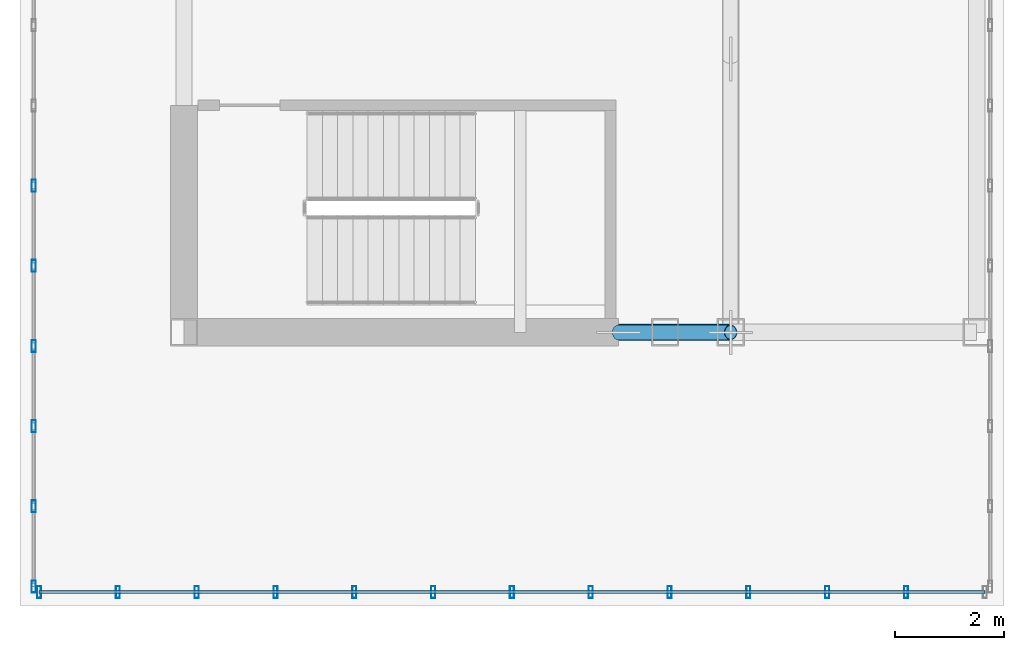
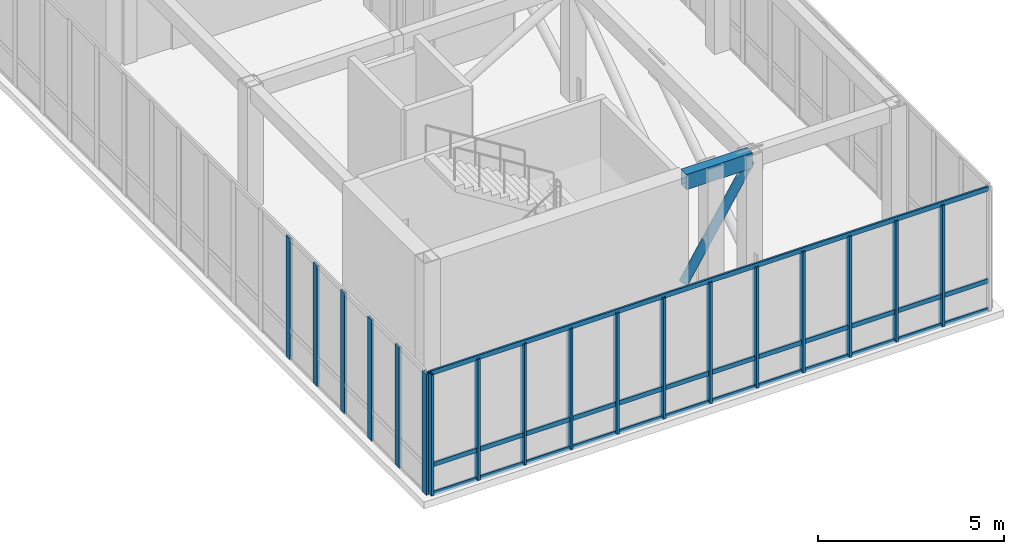
# One storey, part 2 of 13: 22 members, 1 beam, 2 elements without a shape of their own.
"""IFC4 building model written with IfcOpenShell, lengths in metres."""

from ifc_helpers import new_model, si_unit, direction, frame, origin, origin_2d, place, context, subcontext, project, spatial, hollow_rectangle, hollow_circle, extrude, source, transform, mapped, material, layer, layer_set, material_profile, profile_set, type_object, element, aggregate, save


model = new_model("IFC4")

# Units and contexts
model_context = context("Model", 3, precision=1e-05, world=origin(), true_north=direction((0.0, 1.0)))
body_context = subcontext(model_context, "Body", "Model", "MODEL_VIEW")
ifc_project = project(units=[si_unit("LENGTHUNIT", "METRE"), si_unit("AREAUNIT", "SQUARE_METRE"), si_unit("VOLUMEUNIT", "CUBIC_METRE"), si_unit("PLANEANGLEUNIT", "RADIAN"), si_unit("MASSUNIT", "GRAM", prefix="KILO")], contexts=[model_context])

# Site, building, storey
site_placement = place(None, origin())
site = spatial("IfcSite", under=ifc_project, at=site_placement, CompositionType="ELEMENT")
building_placement = place(site_placement, origin())
building = spatial("IfcBuilding", under=site, at=building_placement, Name="Kharzan Plaza Tower", CompositionType="ELEMENT")
storey_placement = place(building_placement, frame((0.0, 0.0, 277.199951171875)))
storey = spatial("IfcBuildingStorey", under=building, at=storey_placement, Name="L75-CROWN", CompositionType="ELEMENT", Elevation=277.199951171875)

# Beam
ifc_material_1 = material(Name="Steel S355", Category="steel")
ifc_material_profile_1 = material_profile(ifc_material_1, hollow_rectangle(XDim=0.300048828125, YDim=0.5, WallThickness=0.02001953125, at=origin_2d()), Name="RHS500x300x20")
ifc_profile_set_1 = profile_set([ifc_material_profile_1], Name="Steel S355")
beam_type = type_object("IfcBeamType", Name="BM-CRN500", PredefinedType="BEAM", material=ifc_profile_set_1)
shared_shape_1 = source(origin(), body_context, "Body", "SweptSolid", [
    extrude(hollow_rectangle(XDim=0.300048828125, YDim=0.5, WallThickness=0.02001953125, at=origin_2d()), origin(), (0.0, 0.0, 1.0), 2.050048828125),
])
beam_placement = place(storey_placement, frame((12.449951171875, 8.5, 3.719970703125), z_axis=(1.0, 0.0, 0.0), x_axis=(0.0, 1.0, 0.0)))
element("IfcBeam", 1, at=beam_placement, inside=storey, type_object=beam_type, Name="L75-CROWN CROWN FRAME Lantern Ring Beam CRB-S2", PredefinedType="BEAM", context=body_context, shape_type="MappedRepresentation", body=[
    mapped(shared_shape_1, transform((0.0, 0.0, 0.0), x_axis=(1.0, 0.0, 0.0), y_axis=(0.0, 1.0, 0.0), z_axis=(0.0, 0.0, 1.0))),
])

# Member
ifc_material_profile_2 = material_profile(ifc_material_1, hollow_circle(Radius=0.136474609375, WallThickness=0.010009765625, at=origin_2d()), Name="CHS273x10")
ifc_profile_set_2 = profile_set([ifc_material_profile_2], Name="Steel S355")
member_type_1 = type_object("IfcMemberType", Name="MEM-CRN-DIAG", PredefinedType="BRACE", material=ifc_profile_set_2)
shared_shape_2 = source(origin(), body_context, "Body", "SweptSolid", [
    extrude(hollow_circle(Radius=0.136474609375, WallThickness=0.010009765625, at=origin_2d()), origin(), (0.0, 0.0, 1.0), 3.859619140625),
])
member_1_placement = place(storey_placement, frame((12.449951171875, 8.5, 0.35009765625), z_axis=(0.531169756636, 0.0, 0.847265418647), x_axis=(0.0, 1.0, 0.0)))
element("IfcMember", 2, at=member_1_placement, inside=storey, type_object=member_type_1, Name="L75-CROWN CROWN FRAME Diagonal Wind Brace CRD-N2", PredefinedType="BRACE", context=body_context, shape_type="MappedRepresentation", body=[
    mapped(shared_shape_2, transform((0.0, 0.0, 0.0), x_axis=(1.0, 0.0, 0.0), y_axis=(0.0, 1.0, 0.0), z_axis=(0.0, 0.0, 1.0))),
])

# Curtain wall, members
ifc_material_2 = material(Name="Unitised Bronze-Anodized Aluminium and Low-E Glass", Category="aluminium")
ifc_layer = layer(ifc_material_2, 0.199951171875)
ifc_layer_set = layer_set([ifc_layer], Name="Unitised Bronze-Anodized Aluminium and Low-E Glass")
curtain_wall_type = type_object("IfcCurtainWallType", Name="CW-LANTERN-6", PredefinedType="NOTDEFINED", material=ifc_layer_set)
curtain_wall_1_placement = place(storey_placement, origin())
curtain_wall_1 = element("IfcCurtainWall", 3, at=curtain_wall_1_placement, inside=storey, type_object=curtain_wall_type, Name="L75-CROWN Lantern Crown Illuminated Curtain Wall 1", PredefinedType="NOTDEFINED")
ifc_material_3 = material(Name="Anodized Bronze Aluminium", Category="aluminium")
ifc_material_profile_3 = material_profile(ifc_material_3, hollow_rectangle(XDim=0.074951171875, YDim=0.219970703125, WallThickness=0.00390625, at=origin_2d()), Name="ALU-M220x75x4")
ifc_profile_set_3 = profile_set([ifc_material_profile_3], Name="Anodized Bronze Aluminium")
member_type_2 = type_object("IfcMemberType", Name="MEM-CW-MUL200", PredefinedType="MULLION", material=ifc_profile_set_3)
shared_shape_3 = source(origin(), body_context, "Body", "SweptSolid", [
    extrude(hollow_rectangle(XDim=0.074951171875, YDim=0.219970703125, WallThickness=0.00390625, at=origin_2d()), origin(), (0.0, 0.0, 1.0), 3.969970703125),
])
member_2_placement = place(storey_placement, frame((1.85009765625, 3.75, 0.0), z_axis=(0.0, 0.0, 1.0), x_axis=(1.0, 0.0, 0.0)))
member_2 = element("IfcMember", 4, at=member_2_placement, type_object=member_type_2, Name="L75-CROWN Curtain-Wall Mullion 00", PredefinedType="MULLION", context=body_context, shape_type="MappedRepresentation", body=[
    mapped(shared_shape_3, transform((0.0, 0.0, 0.0), x_axis=(1.0, 0.0, 0.0), y_axis=(0.0, 1.0, 0.0), z_axis=(0.0, 0.0, 1.0))),
])
member_3_placement = place(storey_placement, frame((3.291748046875, 3.75, 0.0), z_axis=(0.0, 0.0, 1.0), x_axis=(1.0, 0.0, 0.0)))
member_3 = element("IfcMember", 5, at=member_3_placement, type_object=member_type_2, Name="L75-CROWN Curtain-Wall Mullion 01", PredefinedType="MULLION", context=body_context, shape_type="MappedRepresentation", body=[
    mapped(shared_shape_3, transform((0.0, 0.0, 0.0), x_axis=(1.0, 0.0, 0.0), y_axis=(0.0, 1.0, 0.0), z_axis=(0.0, 0.0, 1.0))),
])
member_4_placement = place(storey_placement, frame((4.7333984375, 3.75, 0.0), z_axis=(0.0, 0.0, 1.0), x_axis=(1.0, 0.0, 0.0)))
member_4 = element("IfcMember", 6, at=member_4_placement, type_object=member_type_2, Name="L75-CROWN Curtain-Wall Mullion 02", PredefinedType="MULLION", context=body_context, shape_type="MappedRepresentation", body=[
    mapped(shared_shape_3, transform((0.0, 0.0, 0.0), x_axis=(1.0, 0.0, 0.0), y_axis=(0.0, 1.0, 0.0), z_axis=(0.0, 0.0, 1.0))),
])
member_5_placement = place(storey_placement, frame((6.175048828125, 3.75, 0.0), z_axis=(0.0, 0.0, 1.0), x_axis=(1.0, 0.0, 0.0)))
member_5 = element("IfcMember", 7, at=member_5_placement, type_object=member_type_2, Name="L75-CROWN Curtain-Wall Mullion 03", PredefinedType="MULLION", context=body_context, shape_type="MappedRepresentation", body=[
    mapped(shared_shape_3, transform((0.0, 0.0, 0.0), x_axis=(1.0, 0.0, 0.0), y_axis=(0.0, 1.0, 0.0), z_axis=(0.0, 0.0, 1.0))),
])
member_6_placement = place(storey_placement, frame((7.61669921875, 3.75, 0.0), z_axis=(0.0, 0.0, 1.0), x_axis=(1.0, 0.0, 0.0)))
member_6 = element("IfcMember", 8, at=member_6_placement, type_object=member_type_2, Name="L75-CROWN Curtain-Wall Mullion 04", PredefinedType="MULLION", context=body_context, shape_type="MappedRepresentation", body=[
    mapped(shared_shape_3, transform((0.0, 0.0, 0.0), x_axis=(1.0, 0.0, 0.0), y_axis=(0.0, 1.0, 0.0), z_axis=(0.0, 0.0, 1.0))),
])
member_7_placement = place(storey_placement, frame((9.058349609375, 3.75, 0.0), z_axis=(0.0, 0.0, 1.0), x_axis=(1.0, 0.0, 0.0)))
member_7 = element("IfcMember", 9, at=member_7_placement, type_object=member_type_2, Name="L75-CROWN Curtain-Wall Mullion 05", PredefinedType="MULLION", context=body_context, shape_type="MappedRepresentation", body=[
    mapped(shared_shape_3, transform((0.0, 0.0, 0.0), x_axis=(1.0, 0.0, 0.0), y_axis=(0.0, 1.0, 0.0), z_axis=(0.0, 0.0, 1.0))),
])
member_8_placement = place(storey_placement, frame((10.5, 3.75, 0.0), z_axis=(0.0, 0.0, 1.0), x_axis=(1.0, 0.0, 0.0)))
member_8 = element("IfcMember", 10, at=member_8_placement, type_object=member_type_2, Name="L75-CROWN Curtain-Wall Mullion 06", PredefinedType="MULLION", context=body_context, shape_type="MappedRepresentation", body=[
    mapped(shared_shape_3, transform((0.0, 0.0, 0.0), x_axis=(1.0, 0.0, 0.0), y_axis=(0.0, 1.0, 0.0), z_axis=(0.0, 0.0, 1.0))),
])
member_9_placement = place(storey_placement, frame((11.941650390625, 3.75, 0.0), z_axis=(0.0, 0.0, 1.0), x_axis=(1.0, 0.0, 0.0)))
member_9 = element("IfcMember", 11, at=member_9_placement, type_object=member_type_2, Name="L75-CROWN Curtain-Wall Mullion 07", PredefinedType="MULLION", context=body_context, shape_type="MappedRepresentation", body=[
    mapped(shared_shape_3, transform((0.0, 0.0, 0.0), x_axis=(1.0, 0.0, 0.0), y_axis=(0.0, 1.0, 0.0), z_axis=(0.0, 0.0, 1.0))),
])
member_10_placement = place(storey_placement, frame((13.38330078125, 3.75, 0.0), z_axis=(0.0, 0.0, 1.0), x_axis=(1.0, 0.0, 0.0)))
member_10 = element("IfcMember", 12, at=member_10_placement, type_object=member_type_2, Name="L75-CROWN Curtain-Wall Mullion 08", PredefinedType="MULLION", context=body_context, shape_type="MappedRepresentation", body=[
    mapped(shared_shape_3, transform((0.0, 0.0, 0.0), x_axis=(1.0, 0.0, 0.0), y_axis=(0.0, 1.0, 0.0), z_axis=(0.0, 0.0, 1.0))),
])
member_11_placement = place(storey_placement, frame((14.824951171875, 3.75, 0.0), z_axis=(0.0, 0.0, 1.0), x_axis=(1.0, 0.0, 0.0)))
member_11 = element("IfcMember", 13, at=member_11_placement, type_object=member_type_2, Name="L75-CROWN Curtain-Wall Mullion 09", PredefinedType="MULLION", context=body_context, shape_type="MappedRepresentation", body=[
    mapped(shared_shape_3, transform((0.0, 0.0, 0.0), x_axis=(1.0, 0.0, 0.0), y_axis=(0.0, 1.0, 0.0), z_axis=(0.0, 0.0, 1.0))),
])
member_12_placement = place(storey_placement, frame((16.2666015625, 3.75, 0.0), z_axis=(0.0, 0.0, 1.0), x_axis=(1.0, 0.0, 0.0)))
member_12 = element("IfcMember", 14, at=member_12_placement, type_object=member_type_2, Name="L75-CROWN Curtain-Wall Mullion 10", PredefinedType="MULLION", context=body_context, shape_type="MappedRepresentation", body=[
    mapped(shared_shape_3, transform((0.0, 0.0, 0.0), x_axis=(1.0, 0.0, 0.0), y_axis=(0.0, 1.0, 0.0), z_axis=(0.0, 0.0, 1.0))),
])
member_13_placement = place(storey_placement, frame((17.708251953125, 3.75, 0.0), z_axis=(0.0, 0.0, 1.0), x_axis=(1.0, 0.0, 0.0)))
member_13 = element("IfcMember", 15, at=member_13_placement, type_object=member_type_2, Name="L75-CROWN Curtain-Wall Mullion 11", PredefinedType="MULLION", context=body_context, shape_type="MappedRepresentation", body=[
    mapped(shared_shape_3, transform((0.0, 0.0, 0.0), x_axis=(1.0, 0.0, 0.0), y_axis=(0.0, 1.0, 0.0), z_axis=(0.0, 0.0, 1.0))),
])

curtain_wall_2_placement = place(storey_placement, origin())
curtain_wall_2 = element("IfcCurtainWall", 16, at=curtain_wall_2_placement, inside=storey, type_object=curtain_wall_type, Name="L75-CROWN Lantern Crown Illuminated Curtain Wall 4", PredefinedType="NOTDEFINED")
member_14_placement = place(storey_placement, frame((1.75, 11.183349609375, 0.0), z_axis=(0.0, 0.0, 1.0), x_axis=(1.0, 0.0, 0.0)))
member_14 = element("IfcMember", 17, at=member_14_placement, type_object=member_type_2, Name="L75-CROWN Curtain-Wall Mullion 16", PredefinedType="MULLION", context=body_context, shape_type="MappedRepresentation", body=[
    mapped(shared_shape_3, transform((0.0, 0.0, 0.0), x_axis=(1.0, 0.0, 0.0), y_axis=(0.0, 1.0, 0.0), z_axis=(0.0, 0.0, 1.0))),
])
member_15_placement = place(storey_placement, frame((1.75, 9.716796875, 0.0), z_axis=(0.0, 0.0, 1.0), x_axis=(1.0, 0.0, 0.0)))
member_15 = element("IfcMember", 18, at=member_15_placement, type_object=member_type_2, Name="L75-CROWN Curtain-Wall Mullion 17", PredefinedType="MULLION", context=body_context, shape_type="MappedRepresentation", body=[
    mapped(shared_shape_3, transform((0.0, 0.0, 0.0), x_axis=(1.0, 0.0, 0.0), y_axis=(0.0, 1.0, 0.0), z_axis=(0.0, 0.0, 1.0))),
])
member_16_placement = place(storey_placement, frame((1.75, 8.25, 0.0), z_axis=(0.0, 0.0, 1.0), x_axis=(1.0, 0.0, 0.0)))
member_16 = element("IfcMember", 19, at=member_16_placement, type_object=member_type_2, Name="L75-CROWN Curtain-Wall Mullion 18", PredefinedType="MULLION", context=body_context, shape_type="MappedRepresentation", body=[
    mapped(shared_shape_3, transform((0.0, 0.0, 0.0), x_axis=(1.0, 0.0, 0.0), y_axis=(0.0, 1.0, 0.0), z_axis=(0.0, 0.0, 1.0))),
])
member_17_placement = place(storey_placement, frame((1.75, 6.783203125, 0.0), z_axis=(0.0, 0.0, 1.0), x_axis=(1.0, 0.0, 0.0)))
member_17 = element("IfcMember", 20, at=member_17_placement, type_object=member_type_2, Name="L75-CROWN Curtain-Wall Mullion 19", PredefinedType="MULLION", context=body_context, shape_type="MappedRepresentation", body=[
    mapped(shared_shape_3, transform((0.0, 0.0, 0.0), x_axis=(1.0, 0.0, 0.0), y_axis=(0.0, 1.0, 0.0), z_axis=(0.0, 0.0, 1.0))),
])
member_18_placement = place(storey_placement, frame((1.75, 5.316650390625, 0.0), z_axis=(0.0, 0.0, 1.0), x_axis=(1.0, 0.0, 0.0)))
member_18 = element("IfcMember", 21, at=member_18_placement, type_object=member_type_2, Name="L75-CROWN Curtain-Wall Mullion 20", PredefinedType="MULLION", context=body_context, shape_type="MappedRepresentation", body=[
    mapped(shared_shape_3, transform((0.0, 0.0, 0.0), x_axis=(1.0, 0.0, 0.0), y_axis=(0.0, 1.0, 0.0), z_axis=(0.0, 0.0, 1.0))),
])
member_19_placement = place(storey_placement, frame((1.75, 3.85009765625, 0.0), z_axis=(0.0, 0.0, 1.0), x_axis=(1.0, 0.0, 0.0)))
member_19 = element("IfcMember", 22, at=member_19_placement, type_object=member_type_2, Name="L75-CROWN Curtain-Wall Mullion 21", PredefinedType="MULLION", context=body_context, shape_type="MappedRepresentation", body=[
    mapped(shared_shape_3, transform((0.0, 0.0, 0.0), x_axis=(1.0, 0.0, 0.0), y_axis=(0.0, 1.0, 0.0), z_axis=(0.0, 0.0, 1.0))),
])
aggregate(curtain_wall_2, [member_14, member_15, member_16, member_17, member_18, member_19])

# Member
ifc_material_profile_4 = material_profile(ifc_material_3, hollow_rectangle(XDim=0.06005859375, YDim=0.14990234375, WallThickness=0.00341796875, at=origin_2d()), Name="ALU-T150x60x3.5")
ifc_profile_set_4 = profile_set([ifc_material_profile_4], Name="Anodized Bronze Aluminium")
member_type_3 = type_object("IfcMemberType", Name="MEM-CW-TRN150", PredefinedType="USERDEFINED", material=ifc_profile_set_4)
shared_shape_4 = source(origin(), body_context, "Body", "SweptSolid", [
    extrude(hollow_rectangle(XDim=0.06005859375, YDim=0.14990234375, WallThickness=0.00341796875, at=origin_2d()), origin(), (0.0, 0.0, 1.0), 17.2998046875),
])
member_20_placement = place(storey_placement, frame((1.85009765625, 3.75, 0.0), z_axis=(1.0, 0.0, 0.0), x_axis=(0.0, 1.0, 0.0)))
member_20 = element("IfcMember", 23, at=member_20_placement, type_object=member_type_3, Name="L75-CROWN Curtain-Wall Transom 1", ObjectType="TRANSOM", PredefinedType="USERDEFINED", context=body_context, shape_type="MappedRepresentation", body=[
    mapped(shared_shape_4, transform((0.0, 0.0, 0.0), x_axis=(1.0, 0.0, 0.0), y_axis=(0.0, 1.0, 0.0), z_axis=(0.0, 0.0, 1.0))),
])

member_21_placement = place(storey_placement, frame((1.85009765625, 3.75, 0.949951171875), z_axis=(1.0, 0.0, 0.0), x_axis=(0.0, 1.0, 0.0)))
member_21 = element("IfcMember", 24, at=member_21_placement, type_object=member_type_3, Name="L75-CROWN Curtain-Wall Transom 2", ObjectType="TRANSOM", PredefinedType="USERDEFINED", context=body_context, shape_type="MappedRepresentation", body=[
    mapped(shared_shape_4, transform((0.0, 0.0, 0.0), x_axis=(1.0, 0.0, 0.0), y_axis=(0.0, 1.0, 0.0), z_axis=(0.0, 0.0, 1.0))),
])

member_22_placement = place(storey_placement, frame((1.85009765625, 3.75, 3.969970703125), z_axis=(1.0, 0.0, 0.0), x_axis=(0.0, 1.0, 0.0)))
member_22 = element("IfcMember", 25, at=member_22_placement, type_object=member_type_3, Name="L75-CROWN Curtain-Wall Transom 3", ObjectType="TRANSOM", PredefinedType="USERDEFINED", context=body_context, shape_type="MappedRepresentation", body=[
    mapped(shared_shape_4, transform((0.0, 0.0, 0.0), x_axis=(1.0, 0.0, 0.0), y_axis=(0.0, 1.0, 0.0), z_axis=(0.0, 0.0, 1.0))),
])

aggregate(curtain_wall_1, [member_2, member_3, member_4, member_5, member_6, member_7, member_8, member_9, member_10, member_11, member_12, member_13, member_20, member_21, member_22])

save(model, "model.ifc")
